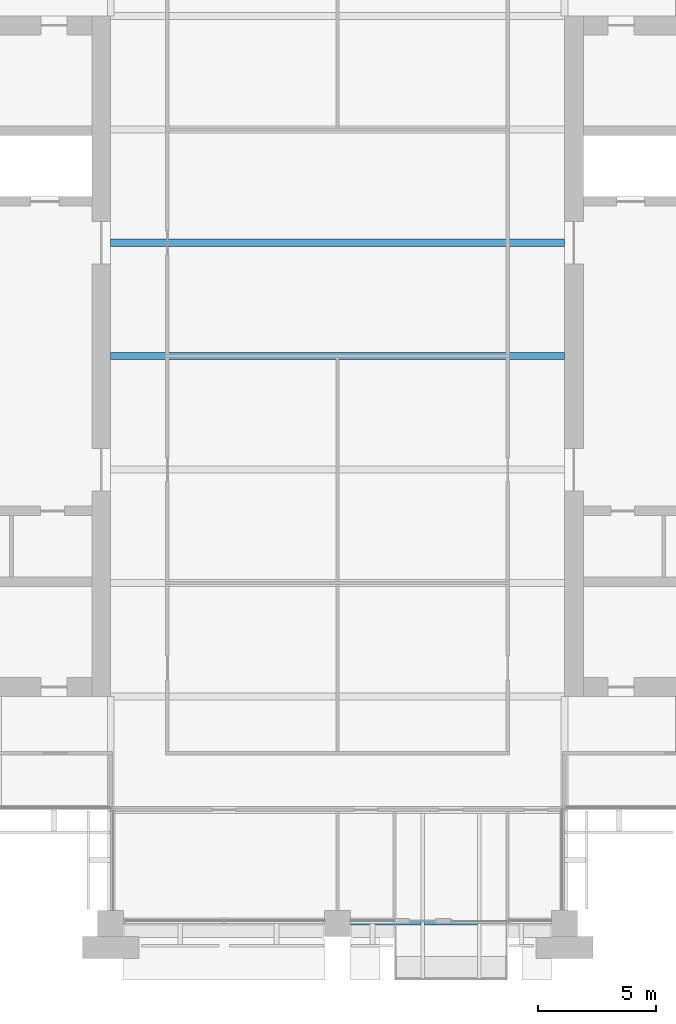
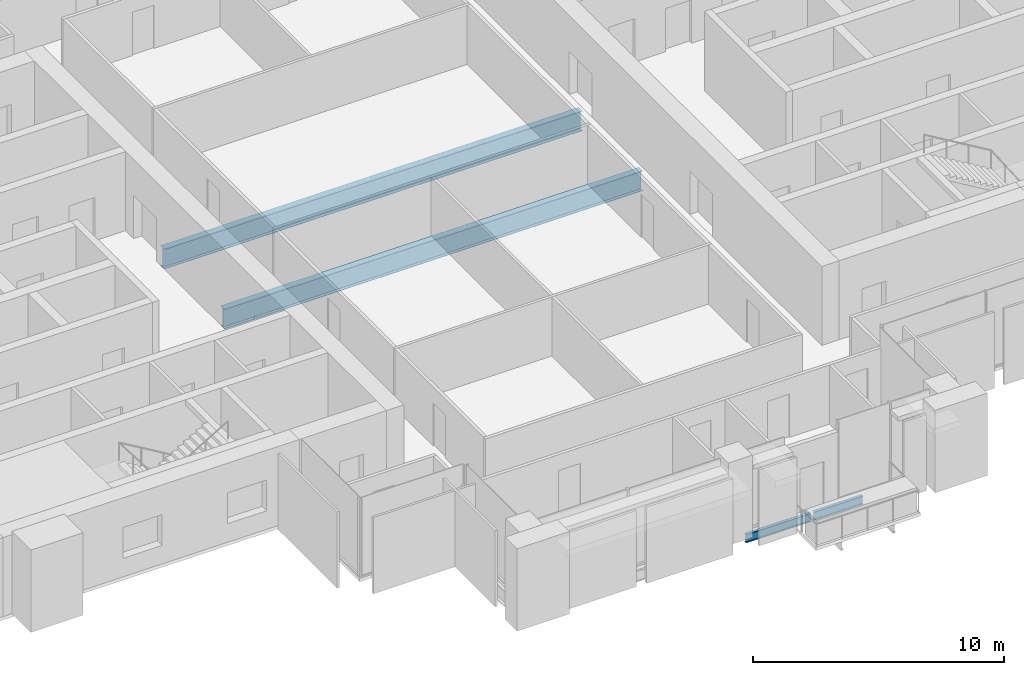
# One storey, part 3 of 14: 4 beams.
"""IFC4 building model written with IfcOpenShell, lengths in metres."""

from ifc_helpers import new_model, si_unit, direction, frame, origin, origin_2d, place, context, subcontext, project, spatial, i_section, extrude, material, material_profile, profile_set, type_object, element, save


model = new_model("IFC4")

# Units and contexts
model_context = context("Model", 3, precision=1e-05, world=origin(), true_north=direction((0.0, 1.0)))
body_context = subcontext(model_context, "Body", "Model", "MODEL_VIEW")
ifc_project = project(units=[si_unit("LENGTHUNIT", "METRE"), si_unit("AREAUNIT", "SQUARE_METRE"), si_unit("VOLUMEUNIT", "CUBIC_METRE"), si_unit("PLANEANGLEUNIT", "RADIAN"), si_unit("MASSUNIT", "GRAM", prefix="KILO")], contexts=[model_context])

# Site, building, storey
site_placement = place(None, origin())
site = spatial("IfcSite", under=ifc_project, at=site_placement, CompositionType="ELEMENT")
building_placement = place(site_placement, origin())
building = spatial("IfcBuilding", under=site, at=building_placement, Name="Baori Bourse Tower", CompositionType="ELEMENT")
storey_placement = place(building_placement, frame((0.0, 0.0, 221.199951171875)))
storey = spatial("IfcBuildingStorey", under=building, at=storey_placement, Name="L48", CompositionType="ELEMENT", Elevation=221.199951171875)

# Beams
ifc_material_1 = material(Name="Steel A992 Gr 50", Category="steel")
ifc_material_profile_1 = material_profile(ifc_material_1, i_section(OverallWidth=0.140380859375, OverallDepth=0.40380859375, WebThickness=0.007080078125, FlangeThickness=0.01123046875, at=origin_2d()), Name="W16x31")
ifc_profile_set_1 = profile_set([ifc_material_profile_1], Name="Steel A992 Gr 50")
beam_type_1 = type_object("IfcBeamType", Name="Edge beam W16x31", PredefinedType="BEAM", material=ifc_profile_set_1)
beam_1_placement = place(storey_placement, frame((29.35009765625, 0.0, -0.36181640625), z_axis=(1.0, 0.0, 0.0), x_axis=(0.0, 1.0, 0.0)))
element("IfcBeam", 1, at=beam_1_placement, inside=storey, type_object=beam_type_1, Name="Edge beam L48", PredefinedType="BEAM", context=body_context, shape_type="SweptSolid", body=[
    extrude(i_section(OverallWidth=0.140380859375, OverallDepth=0.40380859375, WebThickness=0.007080078125, FlangeThickness=0.01123046875, at=origin_2d()), origin(), (0.0, 0.0, 1.0), 2.979736328125),
])
beam_2_placement = place(storey_placement, frame((32.47021484375, 0.0, -0.36181640625), z_axis=(1.0, 0.0, 0.0), x_axis=(0.0, 1.0, 0.0)))
element("IfcBeam", 2, at=beam_2_placement, inside=storey, type_object=beam_type_1, Name="Edge beam L48", PredefinedType="BEAM", context=body_context, shape_type="SweptSolid", body=[
    extrude(i_section(OverallWidth=0.140380859375, OverallDepth=0.40380859375, WebThickness=0.007080078125, FlangeThickness=0.01123046875, at=origin_2d()), origin(), (0.0, 0.0, 1.0), 2.259521484375),
])
ifc_material_2 = material(Name="Steel A992 Gr 50", Category="steel")
ifc_material_profile_2 = material_profile(ifc_material_2, i_section(OverallWidth=0.2998046875, OverallDepth=0.97021484375, WebThickness=0.01611328125, FlangeThickness=0.02099609375, at=origin_2d()), Name="W40x149")
ifc_profile_set_2 = profile_set([ifc_material_profile_2], Name="Steel A992 Gr 50")
beam_type_2 = type_object("IfcBeamType", Name="Floor beam W40x149", PredefinedType="BEAM", material=ifc_profile_set_2)
for number, where, z_axis, x_axis, name in (
    (3, (19.199951171875, 24.0, -0.64501953125), (1.0, 0.0, 0.0), (0.0, 1.0, 0.0), "Floor beam L48"),
    (4, (19.199951171875, 28.800048828125, -0.64501953125), (1.0, 0.0, 0.0), (0.0, 1.0, 0.0), "Floor beam L48"),
):
    element("IfcBeam", number, at=place(storey_placement, frame(where, z_axis=z_axis, x_axis=x_axis)), inside=storey, type_object=beam_type_2, Name=name, PredefinedType="BEAM", context=body_context, shape_type="SweptSolid", body=[
        extrude(i_section(OverallWidth=0.2998046875, OverallDepth=0.97021484375, WebThickness=0.01611328125, FlangeThickness=0.02099609375, at=origin_2d()), origin(), (0.0, 0.0, 1.0), 19.199951171875),
    ])

save(model, "model.ifc")
